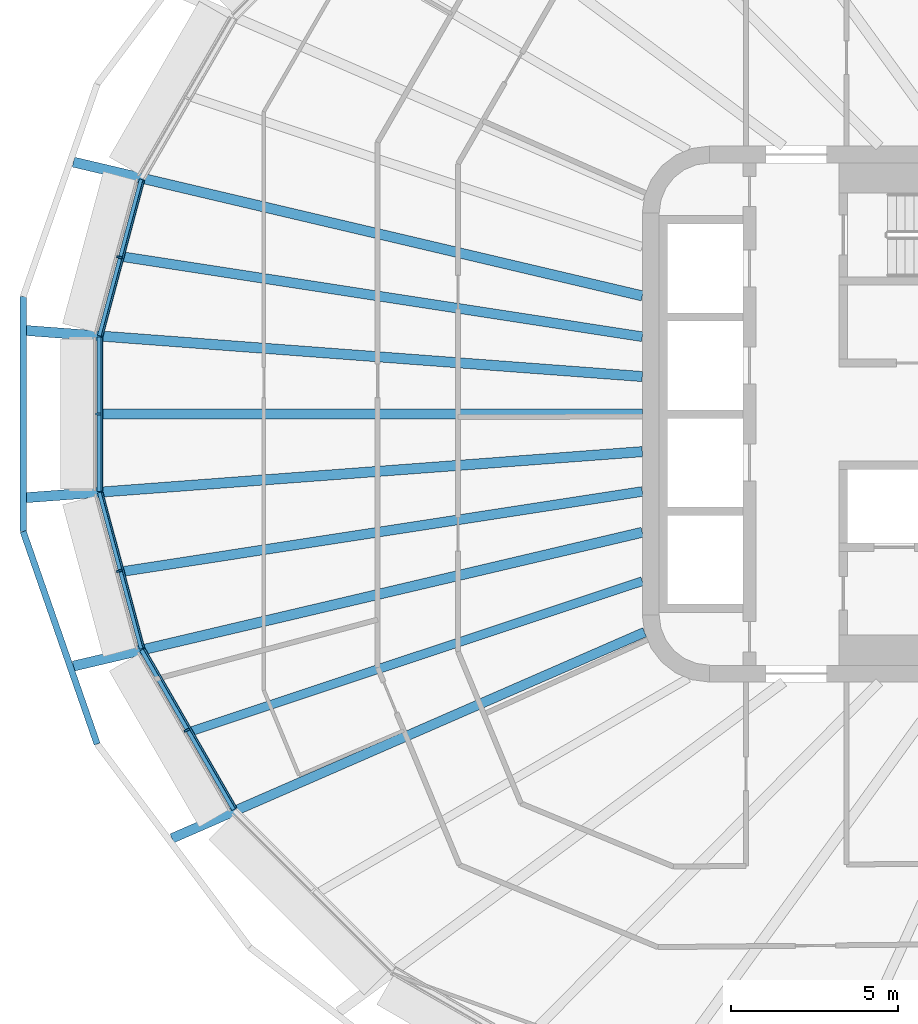
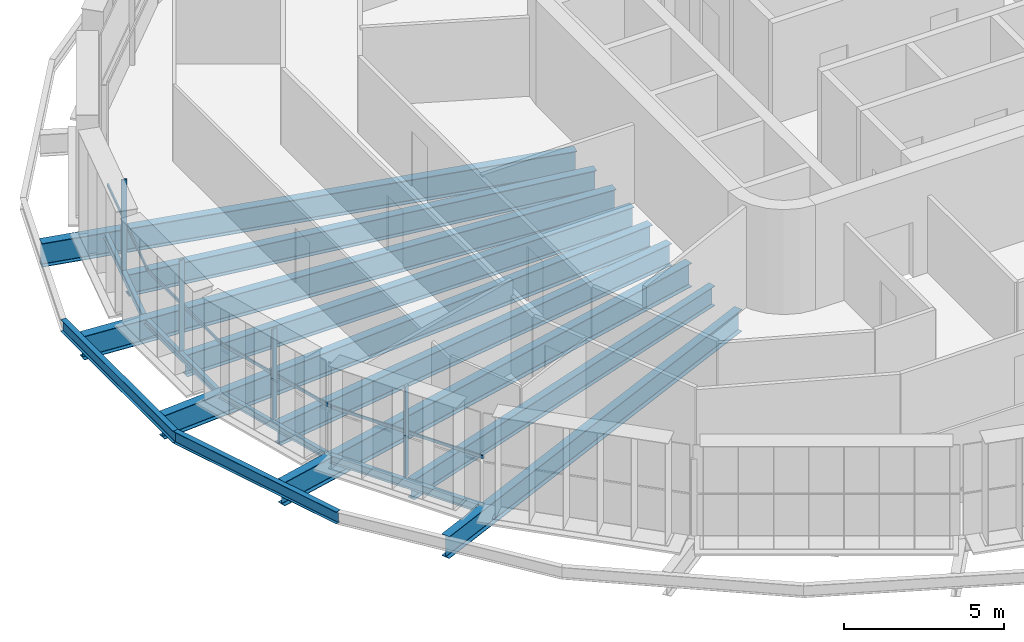
# One storey, part 2 of 23: 15 beams, 8 members, 4 elements without a shape of their own.
"""IFC4 building model written with IfcOpenShell, lengths in metres."""

from ifc_helpers import new_model, si_unit, direction, frame, origin, origin_2d, place, context, subcontext, project, spatial, rectangle, i_section, extrude, material, layer, layer_set, material_profile, profile_set, type_object, element, aggregate, save


model = new_model("IFC4")

# Units and contexts
model_context = context("Model", 3, precision=1e-05, world=origin(), true_north=direction((0.0, 1.0)))
body_context = subcontext(model_context, "Body", "Model", "MODEL_VIEW")
ifc_project = project(units=[si_unit("LENGTHUNIT", "METRE"), si_unit("AREAUNIT", "SQUARE_METRE"), si_unit("VOLUMEUNIT", "CUBIC_METRE"), si_unit("PLANEANGLEUNIT", "RADIAN"), si_unit("MASSUNIT", "GRAM", prefix="KILO")], contexts=[model_context])

# Site, building, storey
site_placement = place(None, origin())
site = spatial("IfcSite", under=ifc_project, at=site_placement, CompositionType="ELEMENT")
building_placement = place(site_placement, origin())
building = spatial("IfcBuilding", under=site, at=building_placement, Name="Sahrelin Media Tower", CompositionType="ELEMENT")
storey_placement = place(building_placement, frame((0.0, 0.0, 157.60009765625)))
storey = spatial("IfcBuildingStorey", under=building, at=storey_placement, Name="L32", CompositionType="ELEMENT", Elevation=157.60009765625)

# Beams
ifc_material_1 = material(Name="Steel S355", Category="steel")
ifc_material_profile_1 = material_profile(ifc_material_1, i_section(OverallWidth=0.14599609375, OverallDepth=0.25146484375, WebThickness=0.006103515625, FlangeThickness=0.008544921875, FilletRadius=0.007568359375, at=origin_2d()), Name="UB 254x146x31")
ifc_profile_set_1 = profile_set([ifc_material_profile_1], Name="Steel S355")
beam_type_1 = type_object("IfcBeamType", Name="Edge beam EB1", PredefinedType="BEAM", material=ifc_profile_set_1)
beam_1_placement = place(storey_placement, frame((-29.947265625, -7.004638671875, -0.27587890625), z_axis=(-0.258800908736, 0.965930685731, 0.0), x_axis=(-0.965930685731, -0.258800908736, 0.0)))
element("IfcBeam", 1, at=beam_1_placement, inside=storey, type_object=beam_type_1, Name="Edge beam L32-12", PredefinedType="BEAM", context=body_context, shape_type="SweptSolid", body=[
    extrude(i_section(OverallWidth=0.14599609375, OverallDepth=0.25146484375, WebThickness=0.006103515625, FlangeThickness=0.008544921875, FilletRadius=0.007568359375, at=origin_2d()), origin(), (0.0, 0.0, 1.0), 4.831787109375),
])
beam_2_placement = place(storey_placement, frame((-31.201416015625, -2.30859375, -0.27587890625), z_axis=(0.0, 1.0, 0.0), x_axis=(-1.0, 0.0, 0.0)))
element("IfcBeam", 2, at=beam_2_placement, inside=storey, type_object=beam_type_1, Name="Edge beam L32-13", PredefinedType="BEAM", context=body_context, shape_type="SweptSolid", body=[
    extrude(i_section(OverallWidth=0.14599609375, OverallDepth=0.25146484375, WebThickness=0.006103515625, FlangeThickness=0.008544921875, FilletRadius=0.007568359375, at=origin_2d()), origin(), (0.0, 0.0, 1.0), 4.6171875),
])
beam_3_placement = place(storey_placement, frame((-31.19775390625, 2.33740234375, -0.27587890625), z_axis=(0.258800908736, 0.965930685731, 0.0), x_axis=(-0.965930685731, 0.258800908736, 0.0)))
element("IfcBeam", 3, at=beam_3_placement, inside=storey, type_object=beam_type_1, Name="Edge beam L32-14", PredefinedType="BEAM", context=body_context, shape_type="SweptSolid", body=[
    extrude(i_section(OverallWidth=0.14599609375, OverallDepth=0.25146484375, WebThickness=0.006103515625, FlangeThickness=0.008544921875, FilletRadius=0.007568359375, at=origin_2d()), origin(), (0.0, 0.0, 1.0), 4.831787109375),
])
ifc_material_profile_2 = material_profile(ifc_material_1, i_section(OverallWidth=0.1650390625, OverallDepth=0.303466796875, WebThickness=0.006103515625, FlangeThickness=0.01025390625, FilletRadius=0.0087890625, at=origin_2d()), Name="UB 305x165x40")
ifc_profile_set_2 = profile_set([ifc_material_profile_2], Name="Steel S355")
beam_type_2 = type_object("IfcBeamType", Name="Edge beam EB2", PredefinedType="BEAM", material=ifc_profile_set_2)
beam_4_placement = place(storey_placement, frame((-27.1826171875, -11.80078125, -0.3017578125), z_axis=(-0.499996181239, 0.866027608536, 0.0), x_axis=(-0.866027608536, -0.499996181239, 0.0)))
element("IfcBeam", 4, at=beam_4_placement, inside=storey, type_object=beam_type_2, Name="Edge beam L32-11", PredefinedType="BEAM", context=body_context, shape_type="SweptSolid", body=[
    extrude(i_section(OverallWidth=0.1650390625, OverallDepth=0.303466796875, WebThickness=0.006103515625, FlangeThickness=0.01025390625, FilletRadius=0.0087890625, at=origin_2d()), origin(), (0.0, 0.0, 1.0), 5.50732421875),
])

# Curtain wall, member
ifc_material_2 = material(Name="Champagne anodised aluminium 6063-T6", Category="aluminium")
ifc_layer = layer(ifc_material_2, 0.14990234375)
ifc_layer_set = layer_set([ifc_layer], Name="Tower ribbon curtain wall")
curtain_wall_type = type_object("IfcCurtainWallType", Name="Tower ribbon curtain wall", PredefinedType="NOTDEFINED", material=ifc_layer_set)
curtain_wall_1_placement = place(storey_placement, frame((-30.71728515625, 4.709716796875, 0.0), z_axis=(0.0, 0.0, 1.0), x_axis=(1.0, 0.0, 0.0)))
curtain_wall_1 = element("IfcCurtainWall", 5, at=curtain_wall_1_placement, inside=storey, type_object=curtain_wall_type, Name="L32:CW:L32-11", PredefinedType="NOTDEFINED")
ifc_material_profile_3 = material_profile(ifc_material_2, rectangle(XDim=0.06005859375, YDim=0.175048828125, at=origin_2d()), Name="Mullion 60x175")
ifc_profile_set_3 = profile_set([ifc_material_profile_3], Name="Champagne anodised aluminium 6063-T6")
member_type_1 = type_object("IfcMemberType", Name="Mullion 60x175 CW1B", PredefinedType="MULLION", material=ifc_profile_set_3)
member_1_placement = place(storey_placement, frame((-30.613525390625, 4.681884765625, 0.0), z_axis=(0.0, 0.0, 1.0), x_axis=(-0.258807244073, -0.965928988288, 0.0)))
member_1 = element("IfcMember", 6, at=member_1_placement, type_object=member_type_1, Name="L32:CWM:L32-11", PredefinedType="MULLION", context=body_context, shape_type="SweptSolid", body=[
    extrude(rectangle(XDim=0.06005859375, YDim=0.175048828125, at=origin_2d()), origin(), (0.0, 0.0, 1.0), 3.448486328125),
])

curtain_wall_2_placement = place(storey_placement, frame((-31.3515625, 0.0, 0.0), z_axis=(0.0, 0.0, 1.0), x_axis=(1.0, 0.0, 0.0)))
curtain_wall_2 = element("IfcCurtainWall", 7, at=curtain_wall_2_placement, inside=storey, type_object=curtain_wall_type, Name="L32:CW:L32-12", PredefinedType="NOTDEFINED")
member_2_placement = place(storey_placement, frame((-31.243896484375, 0.0, 0.0), z_axis=(0.0, 0.0, 1.0), x_axis=(0.0, -1.0, 0.0)))
member_2 = element("IfcMember", 8, at=member_2_placement, type_object=member_type_1, Name="L32:CWM:L32-12", PredefinedType="MULLION", context=body_context, shape_type="SweptSolid", body=[
    extrude(rectangle(XDim=0.06005859375, YDim=0.175048828125, at=origin_2d()), origin(), (0.0, 0.0, 1.0), 3.448486328125),
])

curtain_wall_3_placement = place(storey_placement, frame((-30.71728515625, -4.709716796875, 0.0), z_axis=(0.0, 0.0, 1.0), x_axis=(1.0, 0.0, 0.0)))
curtain_wall_3 = element("IfcCurtainWall", 9, at=curtain_wall_3_placement, inside=storey, type_object=curtain_wall_type, Name="L32:CW:L32-13", PredefinedType="NOTDEFINED")
member_3_placement = place(storey_placement, frame((-30.613525390625, -4.681884765625, 0.0), z_axis=(0.0, 0.0, 1.0), x_axis=(0.258807244073, -0.965928988288, 0.0)))
member_3 = element("IfcMember", 10, at=member_3_placement, type_object=member_type_1, Name="L32:CWM:L32-13", PredefinedType="MULLION", context=body_context, shape_type="SweptSolid", body=[
    extrude(rectangle(XDim=0.06005859375, YDim=0.175048828125, at=origin_2d()), origin(), (0.0, 0.0, 1.0), 3.448486328125),
])

curtain_wall_4_placement = place(storey_placement, frame((-28.689208984375, -9.490966796875, 0.0), z_axis=(0.0, 0.0, 1.0), x_axis=(1.0, 0.0, 0.0)))
curtain_wall_4 = element("IfcCurtainWall", 11, at=curtain_wall_4_placement, inside=storey, type_object=curtain_wall_type, Name="L32:CW:L32-14", PredefinedType="NOTDEFINED")
member_4_placement = place(storey_placement, frame((-28.59619140625, -9.437255859375, 0.0), z_axis=(0.0, 0.0, 1.0), x_axis=(0.4999984885, -0.866026276448, 0.0)))
member_4 = element("IfcMember", 12, at=member_4_placement, type_object=member_type_1, Name="L32:CWM:L32-14", PredefinedType="MULLION", context=body_context, shape_type="SweptSolid", body=[
    extrude(rectangle(XDim=0.06005859375, YDim=0.175048828125, at=origin_2d()), origin(), (0.0, 0.0, 1.0), 3.448486328125),
])

# Beams
ifc_material_profile_4 = material_profile(ifc_material_1, i_section(OverallWidth=0.291748046875, OverallDepth=0.8349609375, WebThickness=0.013916015625, FlangeThickness=0.018798828125, FilletRadius=0.017822265625, at=origin_2d()), Name="UB 838x292x176")
ifc_profile_set_4 = profile_set([ifc_material_profile_4], Name="Steel S355")
beam_type_3 = type_object("IfcBeamType", Name="Radial primary beam PB10", PredefinedType="BEAM", material=ifc_profile_set_4)
beam_5_placement = place(storey_placement, frame((-14.9326171875, -6.51318359375, -0.567626953125), z_axis=(-0.916602253647, -0.399800335929, 0.0), x_axis=(0.399800335929, -0.916602253647, 0.0)))
element("IfcBeam", 13, at=beam_5_placement, inside=storey, type_object=beam_type_3, Name="Radial beam L32-15", PredefinedType="BEAM", context=body_context, shape_type="SweptSolid", body=[
    extrude(i_section(OverallWidth=0.291748046875, OverallDepth=0.8349609375, WebThickness=0.013916015625, FlangeThickness=0.018798828125, FilletRadius=0.017822265625, at=origin_2d()), origin(), (0.0, 0.0, 1.0), 15.395263671875),
])
ifc_material_profile_5 = material_profile(ifc_material_1, i_section(OverallWidth=0.30322265625, OverallDepth=0.903076171875, WebThickness=0.01513671875, FlangeThickness=0.020263671875, FilletRadius=0.01904296875, at=origin_2d()), Name="UB 914x305x201")
ifc_profile_set_5 = profile_set([ifc_material_profile_5], Name="Steel S355")
beam_type_4 = type_object("IfcBeamType", Name="Radial primary beam PB11", PredefinedType="BEAM", material=ifc_profile_set_5)
beam_6_placement = place(storey_placement, frame((-15.0, 3.528564453125, -0.6015625), z_axis=(-0.973430745065, 0.228981624942, 0.0), x_axis=(-0.228981624942, -0.973430745065, 0.0)))
element("IfcBeam", 14, at=beam_6_placement, inside=storey, type_object=beam_type_4, Name="Radial beam L32-11", PredefinedType="BEAM", context=body_context, shape_type="SweptSolid", body=[
    extrude(i_section(OverallWidth=0.30322265625, OverallDepth=0.903076171875, WebThickness=0.01513671875, FlangeThickness=0.020263671875, FilletRadius=0.01904296875, at=origin_2d()), origin(), (0.0, 0.0, 1.0), 17.449462890625),
])
for number, where, z_axis, x_axis, name in (
    (15, (-15.0, 1.12109375, -0.6015625), (-0.997219391331, 0.074521711965, 0.0), (-0.074521711965, -0.997219391331, 0.0), "Radial beam L32-12"),
    (16, (-15.0, -1.12109375, -0.6015625), (-0.997219391331, -0.074521711965, 0.0), (0.074521711965, -0.997219391331, 0.0), "Radial beam L32-13"),
):
    element("IfcBeam", number, at=place(storey_placement, frame(where, z_axis=z_axis, x_axis=x_axis)), inside=storey, type_object=beam_type_4, Name=name, PredefinedType="BEAM", context=body_context, shape_type="SweptSolid", body=[
        extrude(i_section(OverallWidth=0.30322265625, OverallDepth=0.903076171875, WebThickness=0.01513671875, FlangeThickness=0.020263671875, FilletRadius=0.01904296875, at=origin_2d()), origin(), (0.0, 0.0, 1.0), 18.441162109375),
    ])
beam_7_placement = place(storey_placement, frame((-15.0, -3.528564453125, -0.6015625), z_axis=(-0.973430745065, -0.228981624942, 0.0), x_axis=(0.228981624942, -0.973430745065, 0.0)))
element("IfcBeam", 17, at=beam_7_placement, inside=storey, type_object=beam_type_4, Name="Radial beam L32-14", PredefinedType="BEAM", context=body_context, shape_type="SweptSolid", body=[
    extrude(i_section(OverallWidth=0.30322265625, OverallDepth=0.903076171875, WebThickness=0.01513671875, FlangeThickness=0.020263671875, FilletRadius=0.01904296875, at=origin_2d()), origin(), (0.0, 0.0, 1.0), 17.449462890625),
])
ifc_material_profile_6 = material_profile(ifc_material_1, i_section(OverallWidth=0.291748046875, OverallDepth=0.8349609375, WebThickness=0.013916015625, FlangeThickness=0.018798828125, FilletRadius=0.017822265625, at=origin_2d()), Name="UB 838x292x176")
ifc_profile_set_6 = profile_set([ifc_material_profile_6], Name="Steel S355")
beam_type_5 = type_object("IfcBeamType", Name="Radial secondary beam SB10", PredefinedType="BEAM", material=ifc_profile_set_6)
beam_8_placement = place(storey_placement, frame((-15.0, 2.310302734375, -0.567626953125), z_axis=(-0.988348454864, 0.152208185611, 0.0), x_axis=(-0.152208185611, -0.988348454864, 0.0)))
element("IfcBeam", 18, at=beam_8_placement, inside=storey, type_object=beam_type_5, Name="Secondary beam L32-11", PredefinedType="BEAM", context=body_context, shape_type="SweptSolid", body=[
    extrude(i_section(OverallWidth=0.291748046875, OverallDepth=0.8349609375, WebThickness=0.013916015625, FlangeThickness=0.018798828125, FilletRadius=0.017822265625, at=origin_2d()), origin(), (0.0, 0.0, 1.0), 15.672607421875),
])
beam_9_placement = place(storey_placement, frame((-15.0, 0.0, -0.567626953125), z_axis=(-1.0, 0.0, 0.0), x_axis=(0.0, -1.0, 0.0)))
element("IfcBeam", 19, at=beam_9_placement, inside=storey, type_object=beam_type_5, Name="Secondary beam L32-12", PredefinedType="BEAM", context=body_context, shape_type="SweptSolid", body=[
    extrude(i_section(OverallWidth=0.291748046875, OverallDepth=0.8349609375, WebThickness=0.013916015625, FlangeThickness=0.018798828125, FilletRadius=0.017822265625, at=origin_2d()), origin(), (0.0, 0.0, 1.0), 16.12841796875),
])
beam_10_placement = place(storey_placement, frame((-15.0, -2.310302734375, -0.567626953125), z_axis=(-0.988348454864, -0.152208185611, 0.0), x_axis=(0.152208185611, -0.988348454864, 0.0)))
element("IfcBeam", 20, at=beam_10_placement, inside=storey, type_object=beam_type_5, Name="Secondary beam L32-13", PredefinedType="BEAM", context=body_context, shape_type="SweptSolid", body=[
    extrude(i_section(OverallWidth=0.291748046875, OverallDepth=0.8349609375, WebThickness=0.013916015625, FlangeThickness=0.018798828125, FilletRadius=0.017822265625, at=origin_2d()), origin(), (0.0, 0.0, 1.0), 15.672607421875),
])
ifc_material_profile_7 = material_profile(ifc_material_1, i_section(OverallWidth=0.26513671875, OverallDepth=0.75390625, WebThickness=0.0126953125, FlangeThickness=0.017578125, FilletRadius=0.0166015625, at=origin_2d()), Name="UB 762x267x147")
ifc_profile_set_7 = profile_set([ifc_material_profile_7], Name="Steel S355")
beam_type_6 = type_object("IfcBeamType", Name="Radial secondary beam SB9", PredefinedType="BEAM", material=ifc_profile_set_7)
beam_11_placement = place(storey_placement, frame((-15.0, -4.990234375, -0.527099609375), z_axis=(-0.948867590332, -0.315674351219, 0.0), x_axis=(0.315674351219, -0.948867590332, 0.0)))
element("IfcBeam", 21, at=beam_11_placement, inside=storey, type_object=beam_type_6, Name="Secondary beam L32-14", PredefinedType="BEAM", context=body_context, shape_type="SweptSolid", body=[
    extrude(i_section(OverallWidth=0.26513671875, OverallDepth=0.75390625, WebThickness=0.0126953125, FlangeThickness=0.017578125, FilletRadius=0.0166015625, at=origin_2d()), origin(), (0.0, 0.0, 1.0), 14.162353515625),
])
ifc_material_profile_8 = material_profile(ifc_material_1, i_section(OverallWidth=0.1904296875, OverallDepth=0.45703125, WebThickness=0.009033203125, FlangeThickness=0.014404296875, FilletRadius=0.01025390625, at=origin_2d()), Name="UB 457x191x74")
ifc_profile_set_8 = profile_set([ifc_material_profile_8], Name="Steel S355")
beam_type_7 = type_object("IfcBeamType", Name="Tie chord TC5", PredefinedType="BEAM", material=ifc_profile_set_8)
beam_12_placement = place(storey_placement, frame((-33.485107421875, 3.5068359375, -0.378662109375), z_axis=(0.0, -1.0, 0.0), x_axis=(1.0, 0.0, 0.0)))
element("IfcBeam", 22, at=beam_12_placement, inside=storey, type_object=beam_type_7, Name="Tie chord L32-12", PredefinedType="BEAM", context=body_context, shape_type="SweptSolid", body=[
    extrude(i_section(OverallWidth=0.1904296875, OverallDepth=0.45703125, WebThickness=0.009033203125, FlangeThickness=0.014404296875, FilletRadius=0.01025390625, at=origin_2d()), origin(), (0.0, 0.0, 1.0), 7.013671875),
])
beam_13_placement = place(storey_placement, frame((-33.485107421875, -3.5068359375, -0.378662109375), z_axis=(0.328751834685, -0.9444163442, 0.0), x_axis=(0.9444163442, 0.328751834685, 0.0)))
element("IfcBeam", 23, at=beam_13_placement, inside=storey, type_object=beam_type_7, Name="Tie chord L32-13", PredefinedType="BEAM", context=body_context, shape_type="SweptSolid", body=[
    extrude(i_section(OverallWidth=0.1904296875, OverallDepth=0.45703125, WebThickness=0.009033203125, FlangeThickness=0.014404296875, FilletRadius=0.01025390625, at=origin_2d()), origin(), (0.0, 0.0, 1.0), 6.71630859375),
])

# Member
ifc_material_profile_9 = material_profile(ifc_material_2, rectangle(XDim=0.050048828125, YDim=0.110107421875, at=origin_2d()), Name="Transom 50x110")
ifc_profile_set_9 = profile_set([ifc_material_profile_9], Name="Champagne anodised aluminium 6063-T6")
member_type_2 = type_object("IfcMemberType", Name="Transom 50x110 CW1B", PredefinedType="USERDEFINED", material=ifc_profile_set_9)
member_5_placement = place(storey_placement, frame((-29.883544921875, 6.971435546875, 1.599853515625), z_axis=(-0.25885894947, -0.965915133063, 0.0), x_axis=(0.965915133063, -0.25885894947, 0.0)))
member_5 = element("IfcMember", 24, at=member_5_placement, type_object=member_type_2, Name="L32:CWT:L32-11", ObjectType="TRANSOM", PredefinedType="USERDEFINED", context=body_context, shape_type="SweptSolid", body=[
    extrude(rectangle(XDim=0.050048828125, YDim=0.110107421875, at=origin_2d()), origin(), (0.0, 0.0, 1.0), 4.800537109375),
])

aggregate(curtain_wall_1, [member_1, member_5])

member_6_placement = place(storey_placement, frame((-31.131591796875, 2.29296875, 1.599853515625), z_axis=(0.0, -1.0, 0.0), x_axis=(1.0, 0.0, 0.0)))
member_6 = element("IfcMember", 25, at=member_6_placement, type_object=member_type_2, Name="L32:CWT:L32-12", ObjectType="TRANSOM", PredefinedType="USERDEFINED", context=body_context, shape_type="SweptSolid", body=[
    extrude(rectangle(XDim=0.050048828125, YDim=0.110107421875, at=origin_2d()), origin(), (0.0, 0.0, 1.0), 4.5859375),
])

aggregate(curtain_wall_2, [member_2, member_6])

member_7_placement = place(storey_placement, frame((-31.126220703125, -2.33447265625, 1.599853515625), z_axis=(0.25885894947, -0.965915133063, 0.0), x_axis=(0.965915133063, 0.25885894947, 0.0)))
member_7 = element("IfcMember", 26, at=member_7_placement, type_object=member_type_2, Name="L32:CWT:L32-13", ObjectType="TRANSOM", PredefinedType="USERDEFINED", context=body_context, shape_type="SweptSolid", body=[
    extrude(rectangle(XDim=0.050048828125, YDim=0.110107421875, at=origin_2d()), origin(), (0.0, 0.0, 1.0), 4.800537109375),
])

aggregate(curtain_wall_3, [member_3, member_7])

member_8_placement = place(storey_placement, frame((-29.86767578125, -7.010009765625, 1.599853515625), z_axis=(0.49998489776, -0.866034122891, 0.0), x_axis=(0.866034122891, 0.49998489776, 0.0)))
member_8 = element("IfcMember", 27, at=member_8_placement, type_object=member_type_2, Name="L32:CWT:L32-14", ObjectType="TRANSOM", PredefinedType="USERDEFINED", context=body_context, shape_type="SweptSolid", body=[
    extrude(rectangle(XDim=0.050048828125, YDim=0.110107421875, at=origin_2d()), origin(), (0.0, 0.0, 1.0), 5.475830078125),
])

aggregate(curtain_wall_4, [member_4, member_8])

save(model, "model.ifc")
